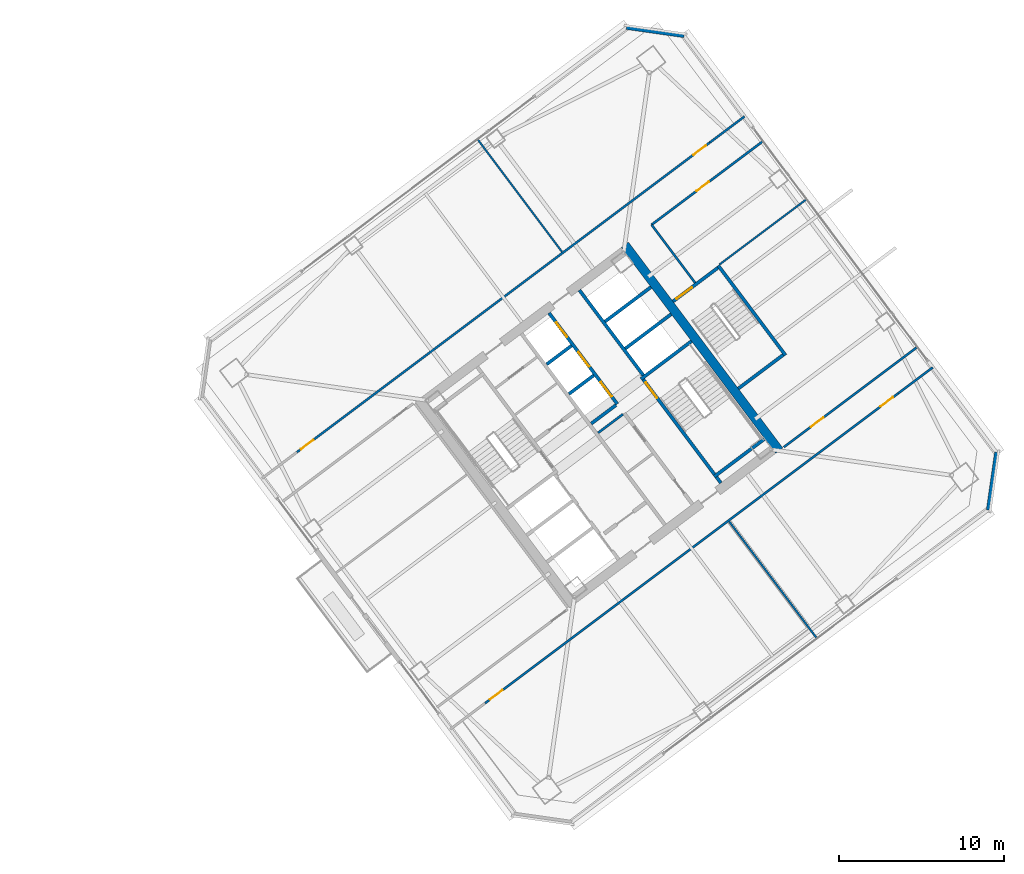
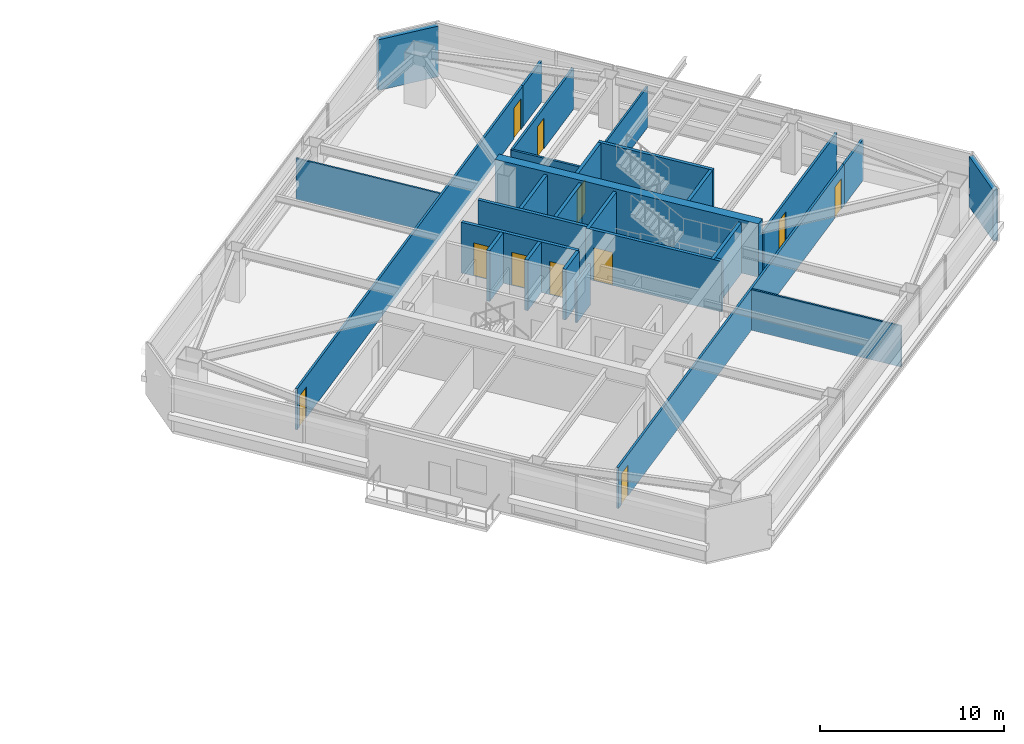
# One storey, part 33 of 40: 27 walls, 11 doors, 11 openings.
"""IFC4 building model written with IfcOpenShell, lengths in metres."""

from ifc_helpers import new_model, si_unit, direction, frame, frame_2d, origin, place, context, subcontext, project, spatial, rectangle, extrude, material, layer, layer_set, type_object, element, fill, save


model = new_model("IFC4")

# Units and contexts
model_context = context("Model", 3, precision=1e-05, world=origin(), true_north=direction((0.0, 1.0)))
body_context = subcontext(model_context, "Body", "Model", "MODEL_VIEW")
ifc_project = project(units=[si_unit("LENGTHUNIT", "METRE"), si_unit("AREAUNIT", "SQUARE_METRE"), si_unit("VOLUMEUNIT", "CUBIC_METRE"), si_unit("PLANEANGLEUNIT", "RADIAN"), si_unit("MASSUNIT", "GRAM", prefix="KILO")], contexts=[model_context])

# Site, building, storey
site_placement = place(None, origin())
site = spatial("IfcSite", under=ifc_project, at=site_placement, CompositionType="ELEMENT")
building_placement = place(site_placement, origin())
building = spatial("IfcBuilding", under=site, at=building_placement, Name="Tashvorn Skyway Center", CompositionType="ELEMENT")
storey_placement = place(building_placement, frame((0.0, 0.0, 142.800048828125)))
storey = spatial("IfcBuildingStorey", under=building, at=storey_placement, Name="L38", CompositionType="ELEMENT", Elevation=142.800048828125)

# Walls
ifc_material_1 = material(Name="Concrete C60/75", Category="concrete")
ifc_layer_1 = layer(ifc_material_1, 0.550048828125)
ifc_layer_set_1 = layer_set([ifc_layer_1], Name="Concrete C60/75")
wall_type_1 = type_object("IfcWallType", Name="WALL-CORE-550", PredefinedType="SHEAR", material=ifc_layer_set_1)
wall_1_placement = place(storey_placement, frame((115.56396484375, 42.923095703125, 0.0), z_axis=(0.0, 0.0, 1.0), x_axis=(0.600005007985, -0.799996243986, 0.0)))
element("IfcWall", 1, at=wall_1_placement, inside=storey, type_object=wall_type_1, Name="Tower 2 L38 East Core Shear Wall", PredefinedType="SHEAR", context=body_context, shape_type="SweptSolid", body=[
    extrude(rectangle(XDim=15.60009765625, YDim=0.550048828125, at=frame_2d((7.800048828125, 0.0))), origin(), (0.0, 0.0, 1.0), 3.550048828125),
])
ifc_material_2 = material(Name="Precast concrete C40/50", Category="concrete")
ifc_layer_2 = layer(ifc_material_2, 0.280029296875)
ifc_layer_set_2 = layer_set([ifc_layer_2], Name="Precast concrete C40/50")
wall_type_2 = type_object("IfcWallType", Name="WALL-EXT-280", PredefinedType="SOLIDWALL", material=ifc_layer_set_2)
for number, where, z_axis, x_axis, name in (
    (2, (115.659912109375, 56.1201171875, 0.0), (0.0, 0.0, 1.0), (0.989949493661, -0.141421356237, 0.0), "Tower 2 L38 NE Precast Chamfer Wall"),
    (3, (138.1201171875, 30.340087890625, 0.0), (0.0, 0.0, 1.0), (-0.141421356237, -0.989949493661, 0.0), "Tower 2 L38 SE Precast Chamfer Wall"),
):
    element("IfcWall", number, at=place(storey_placement, frame(where, z_axis=z_axis, x_axis=x_axis)), inside=storey, type_object=wall_type_2, Name=name, PredefinedType="SOLIDWALL", context=body_context, shape_type="SweptSolid", body=[
        extrude(rectangle(XDim=3.53564453125, YDim=0.280029296875, at=frame_2d((1.767822265625, 0.0))), origin(), (0.0, 0.0, 1.0), 3.369873046875),
    ])
ifc_material_3 = material(Name="Gypsum board on cold-formed steel stud framing", Category="steel")
ifc_layer_3 = layer(ifc_material_3, 0.110107421875)
ifc_layer_set_3 = layer_set([ifc_layer_3], Name="Gypsum board on cold-formed steel stud framing")
wall_type_3 = type_object("IfcWallType", Name="WALL-PART-110", PredefinedType="PARTITIONING", material=ifc_layer_set_3)
wall_2_placement = place(storey_placement, frame((111.75, 42.5, 0.0), z_axis=(0.0, 0.0, 1.0), x_axis=(-0.599995420528, 0.800003434584, 0.0)))
element("IfcWall", 4, at=wall_2_placement, inside=storey, type_object=wall_type_3, Name="Tower 2 L38 North Suite Partition 1", PredefinedType="PARTITIONING", context=body_context, shape_type="SweptSolid", body=[
    extrude(rectangle(XDim=8.530029296875, YDim=0.110107421875, at=frame_2d((4.26513671875, 0.0))), origin(), (0.0, 0.0, 1.0), 2.722900390625),
])
wall_3_placement = place(storey_placement, frame((127.2080078125, 19.055908203125, 0.0), z_axis=(0.0, 0.0, 1.0), x_axis=(-0.6, 0.8, 0.0)))
element("IfcWall", 5, at=wall_3_placement, inside=storey, type_object=wall_type_3, Name="Tower 2 L38 South Suite Partition 1", PredefinedType="PARTITIONING", context=body_context, shape_type="SweptSolid", body=[
    extrude(rectangle(XDim=8.85009765625, YDim=0.110107421875, at=frame_2d((4.425048828125, 0.0))), origin(), (0.0, 0.0, 1.0), 2.722900390625),
])
wall_4_placement = place(storey_placement, frame((126.583984375, 45.68798828125, 0.0), z_axis=(0.0, 0.0, 1.0), x_axis=(-0.800004438899, -0.599994081423, 0.0)))
element("IfcWall", 6, at=wall_4_placement, inside=storey, type_object=wall_type_3, Name="Tower 2 L38 East Suite Partition 1", PredefinedType="PARTITIONING", context=body_context, shape_type="SweptSolid", body=[
    extrude(rectangle(XDim=6.60009765625, YDim=0.110107421875, at=frame_2d((3.300048828125, 0.0))), origin(), (0.0, 0.0, 1.0), 2.722900390625),
])
ifc_layer_4 = layer(ifc_material_3, 0.135009765625)
ifc_layer_set_4 = layer_set([ifc_layer_4], Name="Gypsum board on cold-formed steel stud framing")
wall_type_4 = type_object("IfcWallType", Name="WALL-PART-135", PredefinedType="PARTITIONING", material=ifc_layer_set_4)
wall_5_placement = place(storey_placement, frame((119.823974609375, 40.617919921875, 0.0), z_axis=(0.0, 0.0, 1.0), x_axis=(-0.599982243973, 0.800013316712, 0.0)))
element("IfcWall", 7, at=wall_5_placement, inside=storey, type_object=wall_type_4, Name="Tower 2 L38 Stair 3 Access Corridor Wall", PredefinedType="PARTITIONING", context=body_context, shape_type="SweptSolid", body=[
    extrude(rectangle(XDim=4.39990234375, YDim=0.135009765625, at=frame_2d((2.199951171875, 0.0))), origin(), (0.0, 0.0, 1.0), 2.722900390625),
])

# Wall, openings, doors
wall_6_placement = place(storey_placement, frame((95.677978515625, 30.345947265625, 0.0), z_axis=(0.0, 0.0, 1.0), x_axis=(0.8, 0.6, 0.0)))
wall_6 = element("IfcWall", 8, at=wall_6_placement, inside=storey, type_object=wall_type_4, Name="Tower 2 L38 North Suite Wall", PredefinedType="PARTITIONING", context=body_context, shape_type="SweptSolid", body=[
    extrude(rectangle(XDim=31.300048828125, YDim=0.135009765625, at=frame_2d((15.64990234375, 0.0))), origin(), (0.0, 0.0, 1.0), 2.722900390625),
])
opening_1_placement = place(wall_6_placement, frame((0.300048828125, 0.0, 0.0)))
opening_1 = element("IfcOpeningElement", 9, at=opening_1_placement, cuts=wall_6, Name="Opening D-INT-950", PredefinedType="OPENING", context=body_context, shape_type="SweptSolid", body=[
    extrude(rectangle(XDim=0.949951171875, YDim=2.050048828125, at=frame_2d((0.47509765625, 1.02490234375))), frame((0.0, 0.077392578125, 0.0), z_axis=(0.0, -1.0, 0.0), x_axis=(1.0, 0.0, 0.0)), (0.0, 0.0, 1.0), 0.155029296875),
])
opening_2_placement = place(wall_6_placement, frame((30.050048828125, 0.0, 0.0)))
opening_2 = element("IfcOpeningElement", 10, at=opening_2_placement, cuts=wall_6, Name="Opening D-INT-950", PredefinedType="OPENING", context=body_context, shape_type="SweptSolid", body=[
    extrude(rectangle(XDim=0.949951171875, YDim=2.050048828125, at=frame_2d((0.47509765625, 1.02490234375))), frame((0.0, 0.077392578125, 0.0), z_axis=(0.0, -1.0, 0.0), x_axis=(1.0, 0.0, 0.0)), (0.0, 0.0, 1.0), 0.155029296875),
])
ifc_material_4 = material(Name="Solid-core architectural oak veneer door")
door_type_1 = type_object("IfcDoorType", Name="DOOR-INT-950", OperationType="NOTDEFINED", PredefinedType="DOOR", material=ifc_material_4)
door_1_placement = place(opening_1_placement, origin())
door_1 = element("IfcDoor", 11, at=door_1_placement, inside=storey, type_object=door_type_1, Name="Tower 2 L38 Wellness Clinic Door", OperationType="SINGLE_SWING_RIGHT", OverallHeight=2.050048828125, OverallWidth=0.949951171875, PredefinedType="DOOR", context=body_context, shape_type="SweptSolid", body=[
    extrude(rectangle(XDim=0.949951171875, YDim=2.050048828125, at=frame_2d((0.47509765625, 1.02490234375))), frame((0.0, 0.02490234375, 0.0), z_axis=(0.0, -1.0, 0.0), x_axis=(1.0, 0.0, 0.0)), (0.0, 0.0, 1.0), 0.050048828125),
])
fill(opening_1, door_1)
door_2_placement = place(opening_2_placement, origin())
door_2 = element("IfcDoor", 12, at=door_2_placement, inside=storey, type_object=door_type_1, Name="Tower 2 L38 Wellness Clinic Door", OperationType="SINGLE_SWING_LEFT", OverallHeight=2.050048828125, OverallWidth=0.949951171875, PredefinedType="DOOR", context=body_context, shape_type="SweptSolid", body=[
    extrude(rectangle(XDim=0.949951171875, YDim=2.050048828125, at=frame_2d((0.47509765625, 1.02490234375))), frame((0.0, 0.02490234375, 0.0), z_axis=(0.0, -1.0, 0.0), x_axis=(1.0, 0.0, 0.0)), (0.0, 0.0, 1.0), 0.050048828125),
])
fill(opening_2, door_2)

# Wall
wall_7_placement = place(storey_placement, frame((120.718017578125, 49.1259765625, 0.0), z_axis=(0.0, 0.0, 1.0), x_axis=(0.799977721118, 0.600029704027, 0.0)))
element("IfcWall", 13, at=wall_7_placement, inside=storey, type_object=wall_type_4, Name="Tower 2 L38 North-East Suite South Wall", PredefinedType="PARTITIONING", context=body_context, shape_type="SweptSolid", body=[
    extrude(rectangle(XDim=2.630126953125, YDim=0.135009765625, at=frame_2d((1.31494140625, 0.0))), origin(), (0.0, 0.0, 1.0), 2.722900390625),
])

# Wall, openings, doors
wall_8_placement = place(storey_placement, frame((132.1298828125, 33.909912109375, 0.0), z_axis=(0.0, 0.0, 1.0), x_axis=(-0.799997191971, -0.600003744021, 0.0)))
wall_8 = element("IfcWall", 14, at=wall_8_placement, inside=storey, type_object=wall_type_4, Name="Tower 2 L38 South Suite Wall", PredefinedType="PARTITIONING", context=body_context, shape_type="SweptSolid", body=[
    extrude(rectangle(XDim=31.2998046875, YDim=0.135009765625, at=frame_2d((15.64990234375, 0.0))), origin(), (0.0, 0.0, 1.0), 2.722900390625),
])
opening_3_placement = place(wall_8_placement, frame((29.969970703125, 0.0, 0.0)))
opening_3 = element("IfcOpeningElement", 15, at=opening_3_placement, cuts=wall_8, Name="Opening D-INT-950", PredefinedType="OPENING", context=body_context, shape_type="SweptSolid", body=[
    extrude(rectangle(XDim=0.949951171875, YDim=2.050048828125, at=frame_2d((0.47509765625, 1.02490234375))), frame((0.0, 0.077392578125, 0.0), z_axis=(0.0, -1.0, 0.0), x_axis=(1.0, 0.0, 0.0)), (0.0, 0.0, 1.0), 0.155029296875),
])
opening_4_placement = place(wall_8_placement, frame((0.3798828125, 0.0, 0.0)))
opening_4 = element("IfcOpeningElement", 16, at=opening_4_placement, cuts=wall_8, Name="Opening D-INT-950", PredefinedType="OPENING", context=body_context, shape_type="SweptSolid", body=[
    extrude(rectangle(XDim=0.949951171875, YDim=2.050048828125, at=frame_2d((0.47509765625, 1.02490234375))), frame((0.0, 0.077392578125, 0.0), z_axis=(0.0, -1.0, 0.0), x_axis=(1.0, 0.0, 0.0)), (0.0, 0.0, 1.0), 0.155029296875),
])
door_3_placement = place(opening_3_placement, origin())
door_3 = element("IfcDoor", 17, at=door_3_placement, inside=storey, type_object=door_type_1, Name="Tower 2 L38 Wellness Clinic Door", OperationType="SINGLE_SWING_RIGHT", OverallHeight=2.050048828125, OverallWidth=0.949951171875, PredefinedType="DOOR", context=body_context, shape_type="SweptSolid", body=[
    extrude(rectangle(XDim=0.949951171875, YDim=2.050048828125, at=frame_2d((0.47509765625, 1.02490234375))), frame((0.0, 0.02490234375, 0.0), z_axis=(0.0, -1.0, 0.0), x_axis=(1.0, 0.0, 0.0)), (0.0, 0.0, 1.0), 0.050048828125),
])
fill(opening_3, door_3)
door_4_placement = place(opening_4_placement, origin())
door_4 = element("IfcDoor", 18, at=door_4_placement, inside=storey, type_object=door_type_1, Name="Tower 2 L38 Reading Lounge Door", OperationType="SINGLE_SWING_LEFT", OverallHeight=2.050048828125, OverallWidth=0.949951171875, PredefinedType="DOOR", context=body_context, shape_type="SweptSolid", body=[
    extrude(rectangle(XDim=0.949951171875, YDim=2.050048828125, at=frame_2d((0.47509765625, 1.02490234375))), frame((0.0, 0.02490234375, 0.0), z_axis=(0.0, -1.0, 0.0), x_axis=(1.0, 0.0, 0.0)), (0.0, 0.0, 1.0), 0.050048828125),
])
fill(opening_4, door_4)

# Wall
wall_9_placement = place(storey_placement, frame((132.1298828125, 33.909912109375, 0.0), z_axis=(0.0, 0.0, 1.0), x_axis=(0.799977721118, 0.600029704027, 0.0)))
element("IfcWall", 19, at=wall_9_placement, inside=storey, type_object=wall_type_4, Name="Tower 2 L38 South-East Suite North Wall", PredefinedType="PARTITIONING", context=body_context, shape_type="SweptSolid", body=[
    extrude(rectangle(XDim=2.630126953125, YDim=0.135009765625, at=frame_2d((1.31494140625, 0.0))), origin(), (0.0, 0.0, 1.0), 2.722900390625),
])

# Wall, opening, door
wall_10_placement = place(storey_placement, frame((123.944091796875, 49.2080078125, 0.0), z_axis=(0.0, 0.0, 1.0), x_axis=(-0.799996532921, -0.600004622744, 0.0)))
wall_10 = element("IfcWall", 20, at=wall_10_placement, inside=storey, type_object=wall_type_4, Name="Tower 2 L38 East Suite North Wall", PredefinedType="PARTITIONING", context=body_context, shape_type="SweptSolid", body=[
    extrude(rectangle(XDim=8.449951171875, YDim=0.135009765625, at=frame_2d((4.22509765625, 0.0))), origin(), (0.0, 0.0, 1.0), 2.722900390625),
])
opening_5_placement = place(wall_10_placement, frame((4.10009765625, 0.0, 0.0)))
opening_5 = element("IfcOpeningElement", 21, at=opening_5_placement, cuts=wall_10, Name="Opening D-INT-950", PredefinedType="OPENING", context=body_context, shape_type="SweptSolid", body=[
    extrude(rectangle(XDim=0.949951171875, YDim=2.050048828125, at=frame_2d((0.47509765625, 1.02490234375))), frame((0.0, 0.077392578125, 0.0), z_axis=(0.0, -1.0, 0.0), x_axis=(1.0, 0.0, 0.0)), (0.0, 0.0, 1.0), 0.155029296875),
])
door_5_placement = place(opening_5_placement, origin())
door_5 = element("IfcDoor", 22, at=door_5_placement, inside=storey, type_object=door_type_1, Name="Tower 2 L38 Operations Control Room Door", OperationType="SINGLE_SWING_RIGHT", OverallHeight=2.050048828125, OverallWidth=0.949951171875, PredefinedType="DOOR", context=body_context, shape_type="SweptSolid", body=[
    extrude(rectangle(XDim=0.949951171875, YDim=2.050048828125, at=frame_2d((0.47509765625, 1.02490234375))), frame((0.0, 0.02490234375, 0.0), z_axis=(0.0, -1.0, 0.0), x_axis=(1.0, 0.0, 0.0)), (0.0, 0.0, 1.0), 0.050048828125),
])
fill(opening_5, door_5)

wall_11_placement = place(storey_placement, frame((125.2080078125, 30.656005859375, 0.0), z_axis=(0.0, 0.0, 1.0), x_axis=(0.799997105034, 0.600003859935, 0.0)))
wall_11 = element("IfcWall", 23, at=wall_11_placement, inside=storey, type_object=wall_type_4, Name="Tower 2 L38 East Suite South Wall", PredefinedType="PARTITIONING", context=body_context, shape_type="SweptSolid", body=[
    extrude(rectangle(XDim=10.119873046875, YDim=0.135009765625, at=frame_2d((5.06005859375, 0.0))), origin(), (0.0, 0.0, 1.0), 2.722900390625),
])
opening_6_placement = place(wall_11_placement, frame((2.044921875, 0.0, 0.0)))
opening_6 = element("IfcOpeningElement", 24, at=opening_6_placement, cuts=wall_11, Name="Opening D-INT-950", PredefinedType="OPENING", context=body_context, shape_type="SweptSolid", body=[
    extrude(rectangle(XDim=0.949951171875, YDim=2.050048828125, at=frame_2d((0.47509765625, 1.02490234375))), frame((0.0, 0.077392578125, 0.0), z_axis=(0.0, -1.0, 0.0), x_axis=(1.0, 0.0, 0.0)), (0.0, 0.0, 1.0), 0.155029296875),
])
door_6_placement = place(opening_6_placement, origin())
door_6 = element("IfcDoor", 25, at=door_6_placement, inside=storey, type_object=door_type_1, Name="Tower 2 L38 Public Restroom Door", OperationType="SINGLE_SWING_LEFT", OverallHeight=2.050048828125, OverallWidth=0.949951171875, PredefinedType="DOOR", context=body_context, shape_type="SweptSolid", body=[
    extrude(rectangle(XDim=0.949951171875, YDim=2.050048828125, at=frame_2d((0.47509765625, 1.02490234375))), frame((0.0, 0.02490234375, 0.0), z_axis=(0.0, -1.0, 0.0), x_axis=(1.0, 0.0, 0.0)), (0.0, 0.0, 1.0), 0.050048828125),
])
fill(opening_6, door_6)

# Walls
ifc_layer_5 = layer(ifc_material_3, 0.135009765625)
ifc_layer_set_5 = layer_set([ifc_layer_5], Name="Gypsum board on cold-formed steel stud framing")
wall_type_5 = type_object("IfcWallType", Name="WALL-RATED-135", PredefinedType="PARTITIONING", material=ifc_layer_set_5)
wall_12_placement = place(storey_placement, frame((113.946044921875, 31.52197265625, 0.0), z_axis=(0.0, 0.0, 1.0), x_axis=(0.8, 0.6, 0.0)))
element("IfcWall", 26, at=wall_12_placement, inside=storey, type_object=wall_type_5, Name="Tower 2 L38 Core Room Partition", PredefinedType="PARTITIONING", context=body_context, shape_type="SweptSolid", body=[
    extrude(rectangle(XDim=1.8798828125, YDim=0.135009765625, at=frame_2d((0.93994140625, 0.0))), origin(), (0.0, 0.0, 1.0), 2.722900390625),
])
ifc_material_5 = material(Name="Concrete C40/50", Category="concrete")
ifc_layer_6 = layer(ifc_material_5, 0.199951171875)
ifc_layer_set_6 = layer_set([ifc_layer_6], Name="Concrete C40/50")
wall_type_6 = type_object("IfcWallType", Name="WALL-SHAFT-200", PredefinedType="SOLIDWALL", material=ifc_layer_set_6)
for number, where, z_axis, x_axis, name in (
    (27, (115.590087890625, 36.6298828125, 0.0), (0.0, 0.0, 1.0), (0.799974743577, 0.600033673754, 0.0), "Tower 2 L38 High-Rise Shaft Divider"),
    (28, (114.360107421875, 38.27001953125, 0.0), (0.0, 0.0, 1.0), (0.800008418847, 0.599988774707, 0.0), "Tower 2 L38 High-Rise Shaft Divider"),
):
    element("IfcWall", number, at=place(storey_placement, frame(where, z_axis=z_axis, x_axis=x_axis)), inside=storey, type_object=wall_type_6, Name=name, PredefinedType="SOLIDWALL", context=body_context, shape_type="SweptSolid", body=[
        extrude(rectangle(XDim=3.47998046875, YDim=0.199951171875, at=frame_2d((1.739990234375, 0.0))), origin(), (0.0, 0.0, 1.0), 3.369873046875),
    ])

# Wall, openings, doors
wall_13_placement = place(storey_placement, frame((115.110107421875, 33.27001953125, 0.0), z_axis=(0.0, 0.0, 1.0), x_axis=(-0.600011322243, 0.799991508192, 0.0)))
wall_13 = element("IfcWall", 29, at=wall_13_placement, inside=storey, type_object=wall_type_6, Name="Tower 2 L38 Mid-Rise Core Wall", PredefinedType="SOLIDWALL", context=body_context, shape_type="SweptSolid", body=[
    extrude(rectangle(XDim=6.900146484375, YDim=0.199951171875, at=frame_2d((3.4501953125, 0.0))), origin(), (0.0, 0.0, 1.0), 3.369873046875),
])
opening_7_placement = place(wall_13_placement, frame((0.574951171875, 0.0, 0.0)))
opening_7 = element("IfcOpeningElement", 30, at=opening_7_placement, cuts=wall_13, Name="Opening LD-MR-T2-1-L38", PredefinedType="OPENING", context=body_context, shape_type="SweptSolid", body=[
    extrude(rectangle(XDim=1.10009765625, YDim=2.199951171875, at=frame_2d((0.550048828125, 1.10009765625))), frame((0.0, 0.10986328125, 0.0), z_axis=(0.0, -1.0, 0.0), x_axis=(1.0, 0.0, 0.0)), (0.0, 0.0, 1.0), 0.219970703125),
])
opening_8_placement = place(wall_13_placement, frame((2.824951171875, 0.0, 0.0)))
opening_8 = element("IfcOpeningElement", 31, at=opening_8_placement, cuts=wall_13, Name="Opening LD-MR-T2-2-L38", PredefinedType="OPENING", context=body_context, shape_type="SweptSolid", body=[
    extrude(rectangle(XDim=1.10009765625, YDim=2.199951171875, at=frame_2d((0.550048828125, 1.10009765625))), frame((0.0, 0.10986328125, 0.0), z_axis=(0.0, -1.0, 0.0), x_axis=(1.0, 0.0, 0.0)), (0.0, 0.0, 1.0), 0.219970703125),
])
opening_9_placement = place(wall_13_placement, frame((5.074951171875, 0.0, 0.0)))
opening_9 = element("IfcOpeningElement", 32, at=opening_9_placement, cuts=wall_13, Name="Opening LD-MR-T2-3-L38", PredefinedType="OPENING", context=body_context, shape_type="SweptSolid", body=[
    extrude(rectangle(XDim=1.10009765625, YDim=2.199951171875, at=frame_2d((0.550048828125, 1.10009765625))), frame((0.0, 0.10986328125, 0.0), z_axis=(0.0, -1.0, 0.0), x_axis=(1.0, 0.0, 0.0)), (0.0, 0.0, 1.0), 0.219970703125),
])
ifc_material_6 = material(Name="Stainless steel landing door", Category="steel")
door_type_2 = type_object("IfcDoorType", Name="DOOR-LIFT-1100", OperationType="SLIDING_TO_LEFT", PredefinedType="DOOR", material=ifc_material_6)
door_7_placement = place(opening_7_placement, origin())
door_7 = element("IfcDoor", 33, at=door_7_placement, inside=storey, type_object=door_type_2, Name="Lift MR-T2-1 L38 Landing Door", OperationType="SLIDING_TO_LEFT", OverallHeight=2.199951171875, OverallWidth=1.10009765625, PredefinedType="DOOR", context=body_context, shape_type="SweptSolid", body=[
    extrude(rectangle(XDim=1.10009765625, YDim=2.199951171875, at=frame_2d((0.550048828125, 1.10009765625))), frame((0.0, 0.02490234375, 0.0), z_axis=(0.0, -1.0, 0.0), x_axis=(1.0, 0.0, 0.0)), (0.0, 0.0, 1.0), 0.050048828125),
])
fill(opening_7, door_7)
door_8_placement = place(opening_8_placement, origin())
door_8 = element("IfcDoor", 34, at=door_8_placement, inside=storey, type_object=door_type_2, Name="Lift MR-T2-2 L38 Landing Door", OperationType="SLIDING_TO_LEFT", OverallHeight=2.199951171875, OverallWidth=1.10009765625, PredefinedType="DOOR", context=body_context, shape_type="SweptSolid", body=[
    extrude(rectangle(XDim=1.10009765625, YDim=2.199951171875, at=frame_2d((0.550048828125, 1.10009765625))), frame((0.0, 0.02490234375, 0.0), z_axis=(0.0, -1.0, 0.0), x_axis=(1.0, 0.0, 0.0)), (0.0, 0.0, 1.0), 0.050048828125),
])
fill(opening_8, door_8)
door_9_placement = place(opening_9_placement, origin())
door_9 = element("IfcDoor", 35, at=door_9_placement, inside=storey, type_object=door_type_2, Name="Lift MR-T2-3 L38 Landing Door", OperationType="SLIDING_TO_LEFT", OverallHeight=2.199951171875, OverallWidth=1.10009765625, PredefinedType="DOOR", context=body_context, shape_type="SweptSolid", body=[
    extrude(rectangle(XDim=1.10009765625, YDim=2.199951171875, at=frame_2d((0.550048828125, 1.10009765625))), frame((0.0, 0.02490234375, 0.0), z_axis=(0.0, -1.0, 0.0), x_axis=(1.0, 0.0, 0.0)), (0.0, 0.0, 1.0), 0.050048828125),
])
fill(opening_9, door_9)

# Walls
wall_14_placement = place(storey_placement, frame((113.52587890625, 32.08203125, 0.0), z_axis=(0.0, 0.0, 1.0), x_axis=(0.800046745961, 0.599937666993, 0.0)))
element("IfcWall", 36, at=wall_14_placement, inside=storey, type_object=wall_type_6, Name="Tower 2 L38 Mid-Rise Shaft Divider", PredefinedType="SOLIDWALL", context=body_context, shape_type="SweptSolid", body=[
    extrude(rectangle(XDim=1.880126953125, YDim=0.199951171875, at=frame_2d((0.93994140625, 0.0))), origin(), (0.0, 0.0, 1.0), 3.369873046875),
])
wall_15_placement = place(storey_placement, frame((112.176025390625, 33.882080078125, 0.0), z_axis=(0.0, 0.0, 1.0), x_axis=(0.8, 0.6, 0.0)))
element("IfcWall", 37, at=wall_15_placement, inside=storey, type_object=wall_type_6, Name="Tower 2 L38 Mid-Rise Shaft Divider", PredefinedType="SOLIDWALL", context=body_context, shape_type="SweptSolid", body=[
    extrude(rectangle(XDim=1.8798828125, YDim=0.199951171875, at=frame_2d((0.93994140625, 0.0))), origin(), (0.0, 0.0, 1.0), 3.369873046875),
])
wall_16_placement = place(storey_placement, frame((110.825927734375, 35.681884765625, 0.0), z_axis=(0.0, 0.0, 1.0), x_axis=(0.799984418148, 0.600020775241, 0.0)))
element("IfcWall", 38, at=wall_16_placement, inside=storey, type_object=wall_type_6, Name="Tower 2 L38 Mid-Rise Shaft Divider", PredefinedType="SOLIDWALL", context=body_context, shape_type="SweptSolid", body=[
    extrude(rectangle(XDim=1.880126953125, YDim=0.199951171875, at=frame_2d((0.93994140625, 0.0))), origin(), (0.0, 0.0, 1.0), 3.369873046875),
])

# Wall, opening, door
ifc_layer_7 = layer(ifc_material_5, 0.199951171875)
ifc_layer_set_7 = layer_set([ifc_layer_7], Name="Concrete C40/50")
wall_type_7 = type_object("IfcWallType", Name="WALL-STSHF-200", PredefinedType="SHEAR", material=ifc_layer_set_7)
wall_17_placement = place(storey_placement, frame((116.56005859375, 34.919921875, 0.0), z_axis=(0.0, 0.0, 1.0), x_axis=(0.59999029481, -0.8000072788, 0.0)))
wall_17 = element("IfcWall", 39, at=wall_17_placement, inside=storey, type_object=wall_type_7, Name="Tower 2 L38 Stair 2 Enclosure Wall", PredefinedType="SHEAR", context=body_context, shape_type="SweptSolid", body=[
    extrude(rectangle(XDim=8.0498046875, YDim=0.199951171875, at=frame_2d((4.02490234375, 0.0))), origin(), (0.0, 0.0, 1.0), 3.369873046875),
])
opening_10_placement = place(wall_17_placement, frame((0.449951171875, 0.0, 0.0)))
opening_10 = element("IfcOpeningElement", 40, at=opening_10_placement, cuts=wall_17, Name="Opening D-ST-1150", PredefinedType="OPENING", context=body_context, shape_type="SweptSolid", body=[
    extrude(rectangle(XDim=1.14990234375, YDim=2.199951171875, at=frame_2d((0.574951171875, 1.10009765625))), frame((0.0, 0.10986328125, 0.0), z_axis=(0.0, -1.0, 0.0), x_axis=(1.0, 0.0, 0.0)), (0.0, 0.0, 1.0), 0.219970703125),
])
ifc_material_7 = material(Name="Hollow galvanized steel fire door assembly", Category="steel")
door_type_3 = type_object("IfcDoorType", Name="DOOR-STAIR-1150", OperationType="NOTDEFINED", PredefinedType="DOOR", material=ifc_material_7)
door_10_placement = place(opening_10_placement, origin())
door_10 = element("IfcDoor", 41, at=door_10_placement, inside=storey, type_object=door_type_3, Name="Tower 2 L38 Exit Stair 2 Door", OperationType="SINGLE_SWING_RIGHT", OverallHeight=2.199951171875, OverallWidth=1.14990234375, PredefinedType="DOOR", context=body_context, shape_type="SweptSolid", body=[
    extrude(rectangle(XDim=1.14990234375, YDim=2.199951171875, at=frame_2d((0.574951171875, 1.10009765625))), frame((0.0, 0.02490234375, 0.0), z_axis=(0.0, -1.0, 0.0), x_axis=(1.0, 0.0, 0.0)), (0.0, 0.0, 1.0), 0.050048828125),
])
fill(opening_10, door_10)

# Walls
for number, where, z_axis, x_axis, name in (
    (42, (116.5400390625, 34.780029296875, 0.0), (0.0, 0.0, 1.0), (0.800015298837, 0.599979601008, 0.0), "Tower 2 L38 Stair 2 North Wall"),
    (43, (120.97998046875, 28.860107421875, 0.0), (0.0, 0.0, 1.0), (0.800015298837, 0.599979601008, 0.0), "Tower 2 L38 Stair 2 South Wall"),
):
    element("IfcWall", number, at=place(storey_placement, frame(where, z_axis=z_axis, x_axis=x_axis)), inside=storey, type_object=wall_type_7, Name=name, PredefinedType="SHEAR", context=body_context, shape_type="SweptSolid", body=[
        extrude(rectangle(XDim=3.829833984375, YDim=0.199951171875, at=frame_2d((1.9150390625, 0.0))), origin(), (0.0, 0.0, 1.0), 3.369873046875),
    ])
wall_18_placement = place(storey_placement, frame((112.81005859375, 40.169921875, 0.0), z_axis=(0.0, 0.0, 1.0), x_axis=(0.599993943644, -0.800004542231, 0.0)))
element("IfcWall", 44, at=wall_18_placement, inside=storey, type_object=wall_type_7, Name="Tower 2 L38 High-Rise Lift Shaft Front Wall", PredefinedType="SHEAR", context=body_context, shape_type="SweptSolid", body=[
    extrude(rectangle(XDim=6.449951171875, YDim=0.199951171875, at=frame_2d((3.22509765625, 0.0))), origin(), (0.0, 0.0, 1.0), 3.369873046875),
])
wall_19_placement = place(storey_placement, frame((125.303955078125, 36.22802734375, 0.0), z_axis=(0.0, 0.0, 1.0), x_axis=(-0.59998851072, 0.800008616831, 0.0)))
element("IfcWall", 45, at=wall_19_placement, inside=storey, type_object=wall_type_7, Name="Tower 2 L38 Stair 3 Outer Wall", PredefinedType="SHEAR", context=body_context, shape_type="SweptSolid", body=[
    extrude(rectangle(XDim=6.7998046875, YDim=0.199951171875, at=frame_2d((3.39990234375, 0.0))), origin(), (0.0, 0.0, 1.0), 3.369873046875),
])

# Wall, opening, door
wall_20_placement = place(storey_placement, frame((121.2041015625, 41.528076171875, 0.0), z_axis=(0.0, 0.0, 1.0), x_axis=(-0.800017232136, -0.599977023131, 0.0)))
wall_20 = element("IfcWall", 46, at=wall_20_placement, inside=storey, type_object=wall_type_7, Name="Tower 2 L38 Stair 3 Enclosure Wall", PredefinedType="SHEAR", context=body_context, shape_type="SweptSolid", body=[
    extrude(rectangle(XDim=3.400146484375, YDim=0.199951171875, at=frame_2d((1.7001953125, 0.0))), origin(), (0.0, 0.0, 1.0), 3.369873046875),
])
opening_11_placement = place(wall_20_placement, frame((1.97509765625, 0.0, 0.0)))
opening_11 = element("IfcOpeningElement", 47, at=opening_11_placement, cuts=wall_20, Name="Opening D-ST-1150", PredefinedType="OPENING", context=body_context, shape_type="SweptSolid", body=[
    extrude(rectangle(XDim=1.14990234375, YDim=2.199951171875, at=frame_2d((0.574951171875, 1.10009765625))), frame((0.0, 0.10986328125, 0.0), z_axis=(0.0, -1.0, 0.0), x_axis=(1.0, 0.0, 0.0)), (0.0, 0.0, 1.0), 0.219970703125),
])
door_11_placement = place(opening_11_placement, origin())
door_11 = element("IfcDoor", 48, at=door_11_placement, inside=storey, type_object=door_type_3, Name="Tower 2 L38 Exit Stair 3 Door", OperationType="SINGLE_SWING_RIGHT", OverallHeight=2.199951171875, OverallWidth=1.14990234375, PredefinedType="DOOR", context=body_context, shape_type="SweptSolid", body=[
    extrude(rectangle(XDim=1.14990234375, YDim=2.199951171875, at=frame_2d((0.574951171875, 1.10009765625))), frame((0.0, 0.02490234375, 0.0), z_axis=(0.0, -1.0, 0.0), x_axis=(1.0, 0.0, 0.0)), (0.0, 0.0, 1.0), 0.050048828125),
])
fill(opening_11, door_11)

# Wall
wall_21_placement = place(storey_placement, frame((122.444091796875, 34.2080078125, 0.0), z_axis=(0.0, 0.0, 1.0), x_axis=(0.79999138319, 0.600011488909, 0.0)))
element("IfcWall", 49, at=wall_21_placement, inside=storey, type_object=wall_type_7, Name="Tower 2 L38 Stair 3 South Wall", PredefinedType="SHEAR", context=body_context, shape_type="SweptSolid", body=[
    extrude(rectangle(XDim=3.39990234375, YDim=0.199951171875, at=frame_2d((1.699951171875, 0.0))), origin(), (0.0, 0.0, 1.0), 3.369873046875),
])

save(model, "model.ifc")
